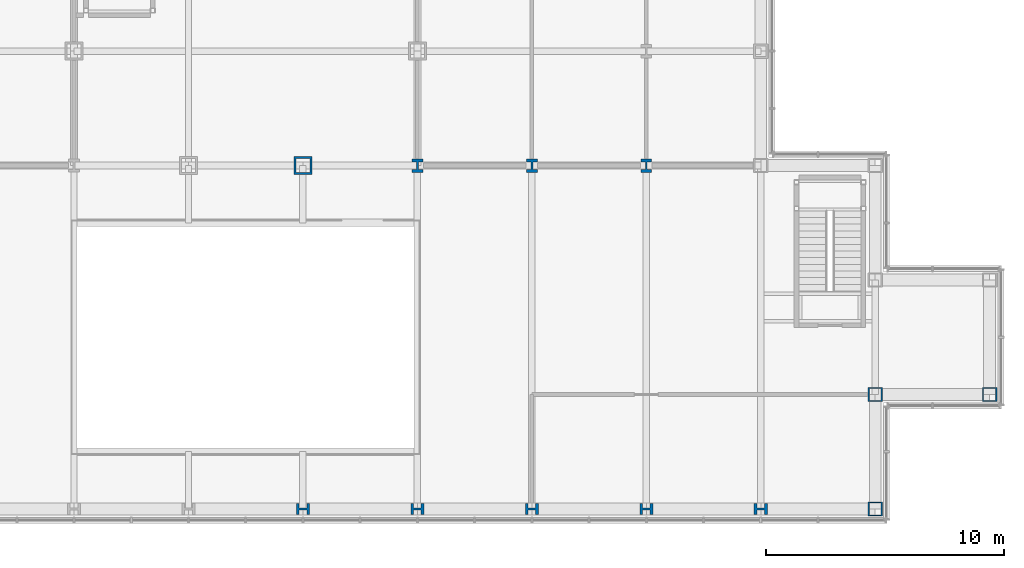
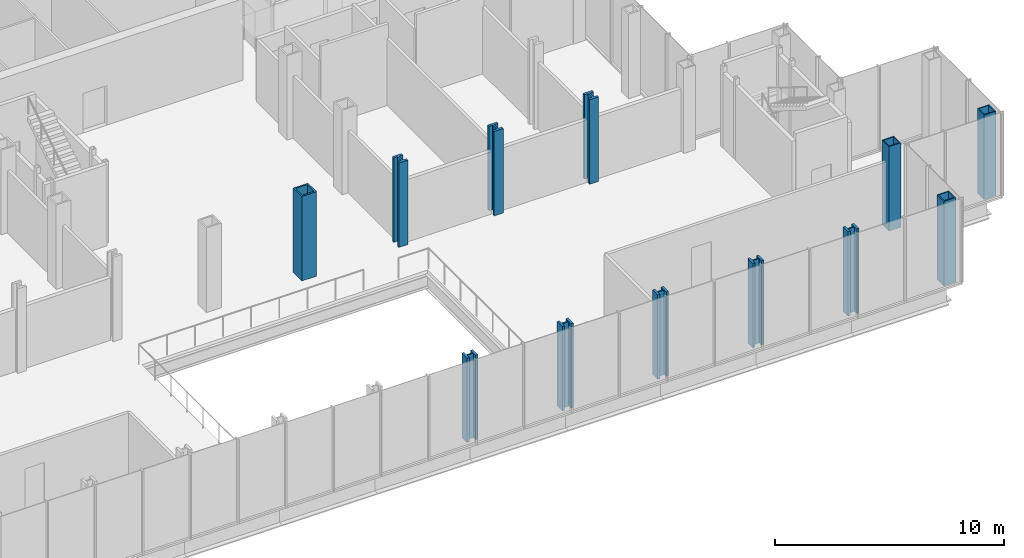
# One storey, part 4 of 25: 12 columns.
"""IFC4 building model written with IfcOpenShell, lengths in metres."""

from ifc_helpers import new_model, si_unit, direction, frame, origin, origin_2d, place, context, subcontext, project, spatial, hollow_rectangle, i_section, extrude, material, material_profile, profile_set, type_object, element, save


model = new_model("IFC4")

# Units and contexts
model_context = context("Model", 3, precision=1e-05, world=origin(), true_north=direction((0.0, 1.0)))
body_context = subcontext(model_context, "Body", "Model", "MODEL_VIEW")
ifc_project = project(units=[si_unit("LENGTHUNIT", "METRE"), si_unit("AREAUNIT", "SQUARE_METRE"), si_unit("VOLUMEUNIT", "CUBIC_METRE"), si_unit("PLANEANGLEUNIT", "RADIAN"), si_unit("MASSUNIT", "GRAM", prefix="KILO")], contexts=[model_context])

# Site, building, storey
site_placement = place(None, origin())
site = spatial("IfcSite", under=ifc_project, at=site_placement, CompositionType="ELEMENT")
building_placement = place(site_placement, origin())
building = spatial("IfcBuilding", under=site, at=building_placement, Name="Kvirike Care Tower", CompositionType="ELEMENT")
storey_placement = place(building_placement, frame((0.0, 0.0, 9.0)))
storey = spatial("IfcBuildingStorey", under=building, at=storey_placement, Name="L02", CompositionType="ELEMENT", Elevation=9.0)

# Columns
ifc_material_1 = material(Name="Steel S460", Category="steel")
ifc_material_profile_1 = material_profile(ifc_material_1, hollow_rectangle(XDim=0.60009765625, YDim=0.60009765625, WallThickness=0.050048828125, at=origin_2d()), Name="BX 600x600x50")
ifc_profile_set_1 = profile_set([ifc_material_profile_1], Name="Steel S460")
column_type_1 = type_object("IfcColumnType", Name="COLUMN BX 600x600x50", PredefinedType="COLUMN", material=ifc_profile_set_1)
for number, where, z_axis, x_axis, name in (
    (1, (48.0, 0.0, 0.0), (0.0, 0.0, 1.0), (0.0, 1.0, 0.0), "Column A13 L02"),
    (2, (48.0, 4.800048828125, 0.0), (0.0, 0.0, 1.0), (0.0, 1.0, 0.0), "Column B13 L02"),
    (3, (52.800048828125, 4.800048828125, 0.0), (0.0, 0.0, 1.0), (0.0, 1.0, 0.0), "Column B14 L02"),
):
    element("IfcColumn", number, at=place(storey_placement, frame(where, z_axis=z_axis, x_axis=x_axis)), inside=storey, type_object=column_type_1, Name=name, PredefinedType="COLUMN", context=body_context, shape_type="SweptSolid", body=[
        extrude(hollow_rectangle(XDim=0.60009765625, YDim=0.60009765625, WallThickness=0.050048828125, at=origin_2d()), origin(), (0.0, 0.0, 1.0), 4.5),
    ])
ifc_material_2 = material(Name="Steel S460", Category="steel")
ifc_material_profile_2 = material_profile(ifc_material_2, hollow_rectangle(XDim=0.75, YDim=0.75, WallThickness=0.080078125, at=origin_2d()), Name="BX 750x750x80")
ifc_profile_set_2 = profile_set([ifc_material_profile_2], Name="Steel S460")
column_type_2 = type_object("IfcColumnType", Name="COLUMN BX 750x750x80", PredefinedType="COLUMN", material=ifc_profile_set_2)
column_placement = place(storey_placement, frame((24.0, 14.39990234375, 0.0), z_axis=(0.0, 0.0, 1.0), x_axis=(1.0, 0.0, 0.0)))
element("IfcColumn", 4, at=column_placement, inside=storey, type_object=column_type_2, Name="Column D8 L02", PredefinedType="COLUMN", context=body_context, shape_type="SweptSolid", body=[
    extrude(hollow_rectangle(XDim=0.75, YDim=0.75, WallThickness=0.080078125, at=origin_2d()), origin(), (0.0, 0.0, 1.0), 4.5),
])
ifc_material_3 = material(Name="Steel S460", Category="steel")
ifc_material_profile_3 = material_profile(ifc_material_3, i_section(OverallWidth=0.4541015625, OverallDepth=0.569091796875, WebThickness=0.077880859375, FlangeThickness=0.125, FilletRadius=0.014892578125, at=origin_2d()), Name="HD 400x1086")
ifc_profile_set_3 = profile_set([ifc_material_profile_3], Name="Steel S460")
column_type_3 = type_object("IfcColumnType", Name="COLUMN HD 400x1086", PredefinedType="COLUMN", material=ifc_profile_set_3)
for number, where, z_axis, x_axis, name in (
    (5, (28.800048828125, 14.39990234375, 0.0), (0.0, 0.0, 1.0), (1.0, 0.0, 0.0), "Column D9 L02"),
    (6, (33.60009765625, 14.39990234375, 0.0), (0.0, 0.0, 1.0), (1.0, 0.0, 0.0), "Column D10 L02"),
    (7, (38.39990234375, 14.39990234375, 0.0), (0.0, 0.0, 1.0), (1.0, 0.0, 0.0), "Column D11 L02"),
):
    element("IfcColumn", number, at=place(storey_placement, frame(where, z_axis=z_axis, x_axis=x_axis)), inside=storey, type_object=column_type_3, Name=name, PredefinedType="COLUMN", context=body_context, shape_type="SweptSolid", body=[
        extrude(i_section(OverallWidth=0.4541015625, OverallDepth=0.569091796875, WebThickness=0.077880859375, FlangeThickness=0.125, FilletRadius=0.014892578125, at=origin_2d()), origin(), (0.0, 0.0, 1.0), 4.5),
    ])
ifc_material_4 = material(Name="Steel S460", Category="steel")
ifc_material_profile_4 = material_profile(ifc_material_4, i_section(OverallWidth=0.447998046875, OverallDepth=0.550048828125, WebThickness=0.072021484375, FlangeThickness=0.114990234375, FilletRadius=0.014892578125, at=origin_2d()), Name="HD 400x990")
ifc_profile_set_4 = profile_set([ifc_material_profile_4], Name="Steel S460")
column_type_4 = type_object("IfcColumnType", Name="COLUMN HD 400x990", PredefinedType="COLUMN", material=ifc_profile_set_4)
for number, where, z_axis, x_axis, name in (
    (8, (24.0, 0.0, 0.0), (0.0, 0.0, 1.0), (0.0, 1.0, 0.0), "Column A8 L02"),
    (9, (28.800048828125, 0.0, 0.0), (0.0, 0.0, 1.0), (0.0, 1.0, 0.0), "Column A9 L02"),
    (10, (33.60009765625, 0.0, 0.0), (0.0, 0.0, 1.0), (0.0, 1.0, 0.0), "Column A10 L02"),
    (11, (38.39990234375, 0.0, 0.0), (0.0, 0.0, 1.0), (0.0, 1.0, 0.0), "Column A11 L02"),
    (12, (43.199951171875, 0.0, 0.0), (0.0, 0.0, 1.0), (0.0, 1.0, 0.0), "Column A12 L02"),
):
    element("IfcColumn", number, at=place(storey_placement, frame(where, z_axis=z_axis, x_axis=x_axis)), inside=storey, type_object=column_type_4, Name=name, PredefinedType="COLUMN", context=body_context, shape_type="SweptSolid", body=[
        extrude(i_section(OverallWidth=0.447998046875, OverallDepth=0.550048828125, WebThickness=0.072021484375, FlangeThickness=0.114990234375, FilletRadius=0.014892578125, at=origin_2d()), origin(), (0.0, 0.0, 1.0), 4.5),
    ])

save(model, "model.ifc")
